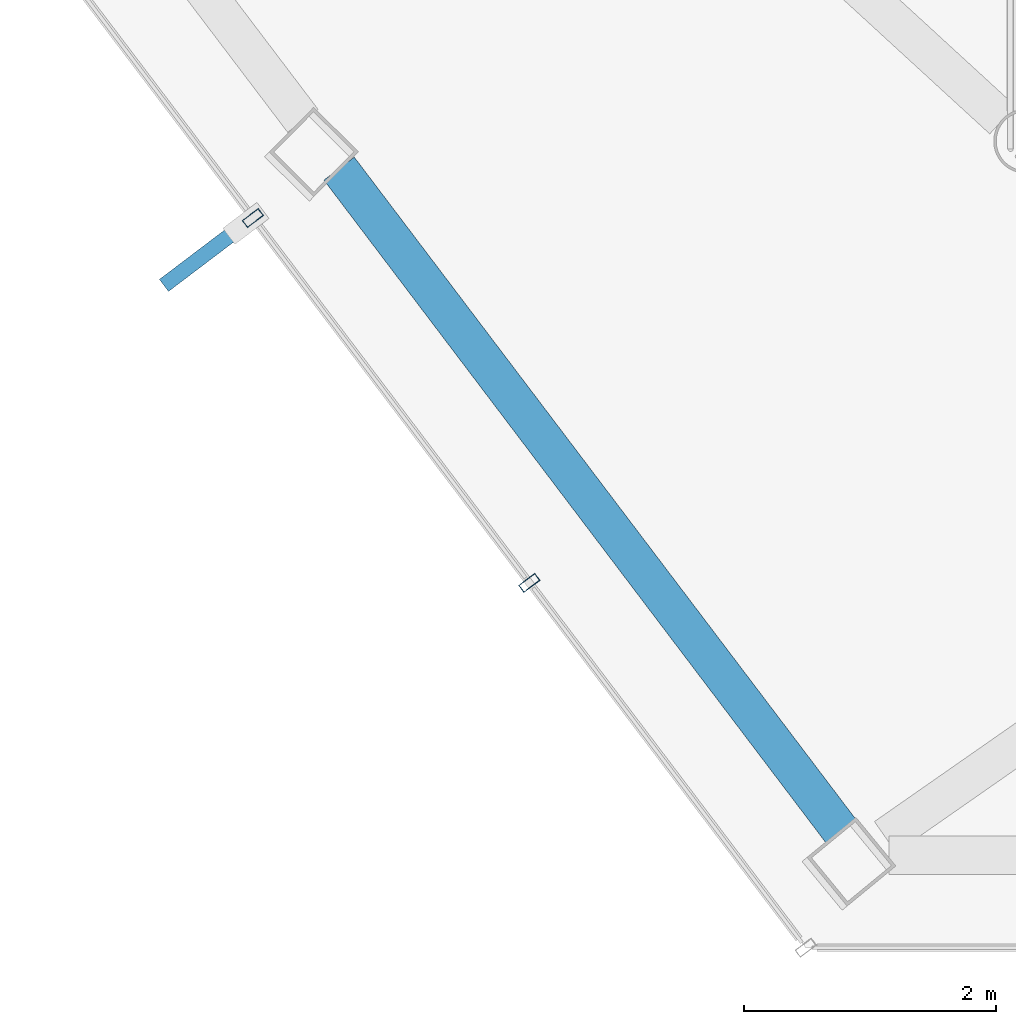
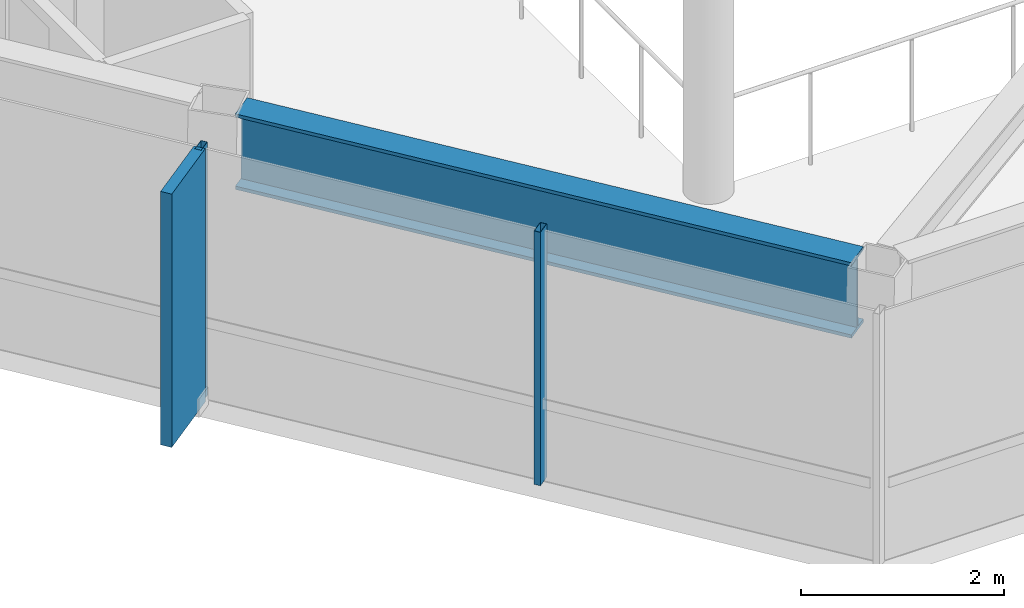
# One storey, part 2 of 24: 3 members, 1 beam, 1 element without a shape of its own.
"""IFC4 building model written with IfcOpenShell, lengths in metres."""

from ifc_helpers import new_model, si_unit, direction, frame, origin, origin_2d, place, context, subcontext, project, spatial, rectangle, hollow_rectangle, i_section, extrude, material, layer, layer_set, material_profile, profile_set, type_object, element, aggregate, save


model = new_model("IFC4")

# Units and contexts
model_context = context("Model", 3, precision=1e-05, world=origin(), true_north=direction((0.0, 1.0)))
body_context = subcontext(model_context, "Body", "Model", "MODEL_VIEW")
ifc_project = project(units=[si_unit("LENGTHUNIT", "METRE"), si_unit("AREAUNIT", "SQUARE_METRE"), si_unit("VOLUMEUNIT", "CUBIC_METRE"), si_unit("PLANEANGLEUNIT", "RADIAN"), si_unit("MASSUNIT", "GRAM", prefix="KILO")], contexts=[model_context])

# Site, building, storey
site_placement = place(None, origin())
site = spatial("IfcSite", under=ifc_project, at=site_placement, CompositionType="ELEMENT")
building_placement = place(site_placement, origin())
building = spatial("IfcBuilding", under=site, at=building_placement, Name="Zarrinselat Tower", CompositionType="ELEMENT")
storey_placement = place(building_placement, frame((0.0, 0.0, 249.56005859375)))
storey = spatial("IfcBuildingStorey", under=building, at=storey_placement, Name="L63", CompositionType="ELEMENT", Elevation=249.56005859375)

# Beam
ifc_material_1 = material(Name="Steel S460M", Category="steel")
ifc_material_profile_1 = material_profile(ifc_material_1, i_section(OverallWidth=0.302001953125, OverallDepth=0.909912109375, WebThickness=0.02099609375, FlangeThickness=0.0400390625, at=origin_2d()), Name="HEM 900")
ifc_profile_set_1 = profile_set([ifc_material_profile_1], Name="Steel S460M")
beam_type = type_object("IfcBeamType", Name="BM-HEM900", PredefinedType="BEAM", material=ifc_profile_set_1)
beam_placement = place(storey_placement, frame((29.5537109375, 24.982421875, 2.594970703125), z_axis=(0.60384913469, -0.797098627859, 0.0), x_axis=(0.797098627859, 0.60384913469, 0.0)))
element("IfcBeam", 1, at=beam_placement, inside=storey, type_object=beam_type, Name="L63 Perimeter Spandrel Girder SP09", PredefinedType="BEAM", context=body_context, shape_type="SweptSolid", body=[
    extrude(i_section(OverallWidth=0.302001953125, OverallDepth=0.909912109375, WebThickness=0.02099609375, FlangeThickness=0.0400390625, at=origin_2d()), origin(), (0.0, 0.0, 1.0), 6.5947265625),
])

# Curtain wall, members
ifc_material_2 = material(Name="Extruded Aluminium Alloy EN AW-6063 T6", Category="aluminium")
ifc_layer = layer(ifc_material_2, 0.169921875)
ifc_layer_set = layer_set([ifc_layer], Name="Extruded Aluminium Alloy EN AW-6063 T6")
curtain_wall_type = type_object("IfcCurtainWallType", Name="CWS-RES", PredefinedType="NOTDEFINED", material=ifc_layer_set)
curtain_wall_placement = place(storey_placement, origin())
curtain_wall = element("IfcCurtainWall", 2, at=curtain_wall_placement, inside=storey, type_object=curtain_wall_type, Name="L63 Unitised Curtain Wall CW-L63-E03", PredefinedType="NOTDEFINED")
ifc_material_3 = material(Name="Extruded Aluminium Alloy EN AW-6063 T6", Category="aluminium")
ifc_material_profile_2 = material_profile(ifc_material_3, hollow_rectangle(XDim=0.070068359375, YDim=0.159912109375, WallThickness=0.00390625, at=origin_2d()), Name="RHS 160x70x4")
ifc_profile_set_2 = profile_set([ifc_material_profile_2], Name="Extruded Aluminium Alloy EN AW-6063 T6")
member_type_1 = type_object("IfcMemberType", Name="MEM-CW-MUL2", PredefinedType="MULLION", material=ifc_profile_set_2)
member_1_placement = place(storey_placement, frame((28.8701171875, 24.590576171875, 0.0), z_axis=(0.0, 0.0, 1.0), x_axis=(0.603857290282, -0.797092449452, 0.0)))
member_1 = element("IfcMember", 3, at=member_1_placement, type_object=member_type_1, Name="CW-L63-E03 Mullion 7", PredefinedType="MULLION", context=body_context, shape_type="SweptSolid", body=[
    extrude(hollow_rectangle(XDim=0.070068359375, YDim=0.159912109375, WallThickness=0.00390625, at=origin_2d()), origin(), (0.0, 0.0, 1.0), 3.050048828125),
])
member_2_placement = place(storey_placement, frame((31.0625, 21.696533203125, 0.0), z_axis=(0.0, 0.0, 1.0), x_axis=(0.603857290282, -0.797092449452, 0.0)))
member_2 = element("IfcMember", 4, at=member_2_placement, type_object=member_type_1, Name="CW-L63-E03 Mullion 8", PredefinedType="MULLION", context=body_context, shape_type="SweptSolid", body=[
    extrude(hollow_rectangle(XDim=0.070068359375, YDim=0.159912109375, WallThickness=0.00390625, at=origin_2d()), origin(), (0.0, 0.0, 1.0), 3.050048828125),
])
ifc_material_4 = material(Name="Honed Cream Travertine Stone", Category="masonry")
ifc_material_profile_3 = material_profile(ifc_material_4, rectangle(XDim=0.1201171875, YDim=0.85009765625, at=origin_2d()), Name="FIN 850x120")
ifc_profile_set_3 = profile_set([ifc_material_profile_3], Name="Honed Cream Travertine Stone")
member_type_2 = type_object("IfcMemberType", Name="MEM-STONE-FIN", PredefinedType="USERDEFINED", material=ifc_profile_set_3)
member_3_placement = place(storey_placement, frame((28.50341796875, 24.312744140625, 0.0), z_axis=(0.0, 0.0, 1.0), x_axis=(-0.603857290282, 0.797092449452, 0.0)))
member_3 = element("IfcMember", 5, at=member_3_placement, type_object=member_type_2, Name="L63 Stone Shading Fin CW-L63-E03-07", ObjectType="FIN", PredefinedType="USERDEFINED", context=body_context, shape_type="SweptSolid", body=[
    extrude(rectangle(XDim=0.1201171875, YDim=0.85009765625, at=origin_2d()), origin(), (0.0, 0.0, 1.0), 3.050048828125),
])
aggregate(curtain_wall, [member_1, member_3, member_2])

save(model, "model.ifc")
